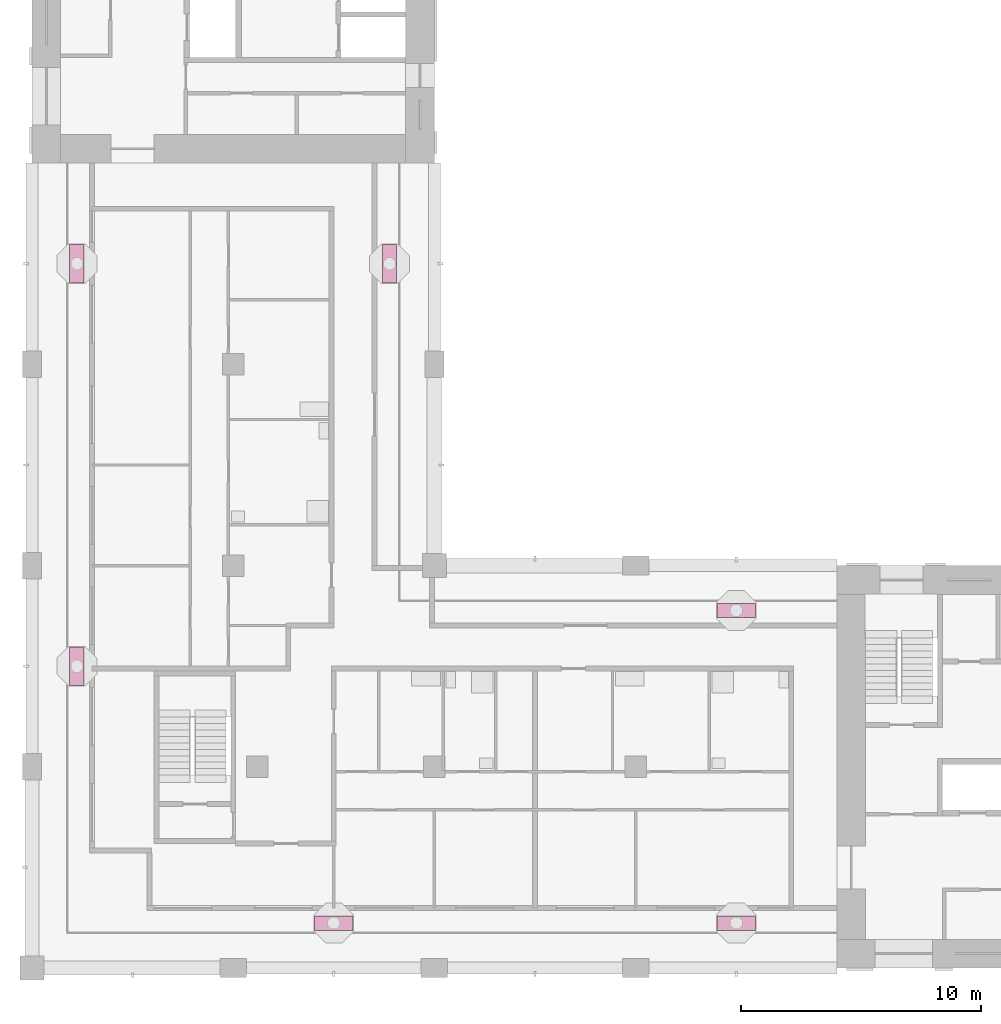
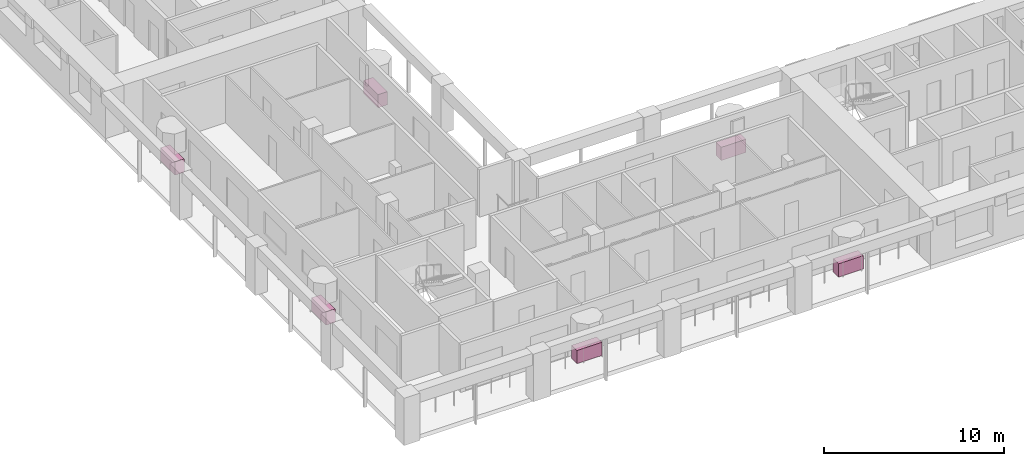
# One storey, part 10 of 11: 6 furniture elements.
"""IFC4 building model written with IfcOpenShell, lengths in metres."""

from ifc_helpers import new_model, si_unit, direction, frame, origin, origin_2d, place, context, subcontext, project, spatial, rectangle, extrude, material, element, save


model = new_model("IFC4")

# Units and contexts
model_context = context("Model", 3, precision=1e-05, world=origin(), true_north=direction((0.0, 1.0)))
body_context = subcontext(model_context, "Body", "Model", "MODEL_VIEW")
ifc_project = project(units=[si_unit("LENGTHUNIT", "METRE"), si_unit("AREAUNIT", "SQUARE_METRE"), si_unit("VOLUMEUNIT", "CUBIC_METRE"), si_unit("PLANEANGLEUNIT", "RADIAN"), si_unit("MASSUNIT", "GRAM", prefix="KILO")], contexts=[model_context])

# Site, building, storey
site_placement = place(None, origin())
site = spatial("IfcSite", under=ifc_project, at=site_placement, CompositionType="ELEMENT")
building_placement = place(site_placement, origin())
building = spatial("IfcBuilding", under=site, at=building_placement, Name="Vermilion Gate Residences", CompositionType="ELEMENT")
storey_placement = place(building_placement, frame((0.0, 0.0, 259.699951171875)))
storey = spatial("IfcBuildingStorey", under=building, at=storey_placement, Name="L68", CompositionType="ELEMENT", Elevation=259.699951171875)

# Furniture
ifc_material = material(Name="Terracotta planter", Category="masonry")
for number, where, z_axis, x_axis, name in (
    (1, (21.0, 10.27490234375, 0.0), (0.0, 0.0, 1.0), (1.0, 0.0, 0.0), "PLANTER"),
    (2, (37.800048828125, 10.27490234375, 0.0), (0.0, 0.0, 1.0), (1.0, 0.0, 0.0), "PLANTER"),
    (3, (37.800048828125, 23.324951171875, 0.0), (0.0, 0.0, 1.0), (-1.0, 0.0, 0.0), "PLANTER"),
    (4, (23.324951171875, 37.800048828125, 0.0), (0.0, 0.0, 1.0), (0.0, 1.0, 0.0), "PLANTER"),
    (5, (10.27490234375, 21.0, 0.0), (0.0, 0.0, 1.0), (0.0, -1.0, 0.0), "PLANTER"),
    (6, (10.27490234375, 37.800048828125, 0.0), (0.0, 0.0, 1.0), (0.0, -1.0, 0.0), "PLANTER"),
):
    element("IfcFurniture", number, at=place(storey_placement, frame(where, z_axis=z_axis, x_axis=x_axis)), inside=storey, material=ifc_material, Name=name, ObjectType="PLANTER", PredefinedType="USERDEFINED", context=body_context, shape_type="SweptSolid", body=[
        extrude(rectangle(XDim=1.60009765625, YDim=0.60009765625, at=origin_2d()), origin(), (0.0, 0.0, 1.0), 0.89990234375),
    ])

save(model, "model.ifc")
